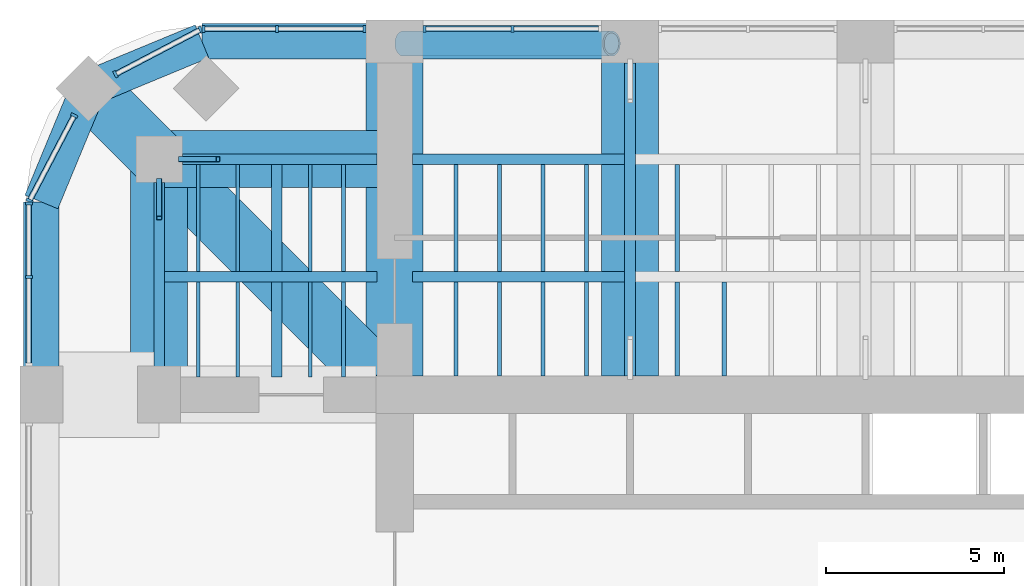
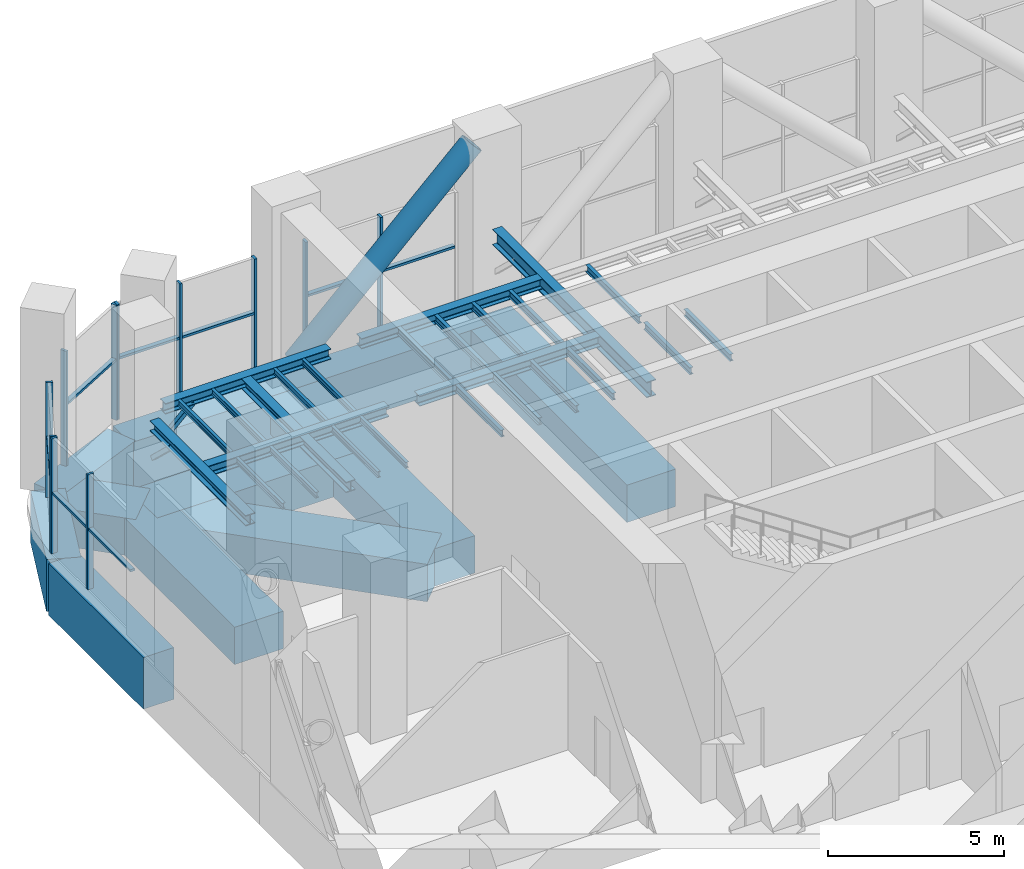
# One storey, part 6 of 15: 38 beams, 22 members, 5 elements without a shape of their own.
"""IFC4 building model written with IfcOpenShell, lengths in metres."""

import ifcopenshell
import ifcopenshell.guid

model = None  # the IFC model being written
_history = None  # IfcOwnerHistory: only IFC2X3 demands one
_inside = {}  # id of a spatial element -> (the spatial element, [elements in it])
_under = {}  # id of a project, library or spatial element -> (it, [spatial elements below it])
_declared = {}  # id of a project -> (the project, [libraries it declares])
_typed = {}  # id of a type object -> (the type object, [elements of that type])
_made_of = {}  # id of a material, layer set ... -> (it, [elements and type objects made of it])


def new_model(schema):
    """Start an empty IFC model of exactly this schema.

    Asked for "IFC4X3", IfcOpenShell would pick the latest addendum, in which some entities
    have other attributes; the version numbers below select the first issue.
    IFC2X3 requires an IfcOwnerHistory on every rooted entity: one is made here for all.
    """
    global model, _history
    if schema == "IFC4X3":
        model = ifcopenshell.file(schema_version=(4, 3, 0, 0))
    else:
        model = ifcopenshell.file(schema=schema)
    _inside.clear()
    _under.clear()
    _declared.clear()
    _typed.clear()
    _made_of.clear()
    _history = None
    if model.schema == "IFC2X3":
        org = make("IfcOrganization", Name="unknown")
        user = make(
            "IfcPersonAndOrganization",
            ThePerson=make("IfcPerson", FamilyName="unknown"),
            TheOrganization=org,
        )
        app = make(
            "IfcApplication",
            ApplicationDeveloper=org,
            Version="unknown",
            ApplicationFullName="unknown",
            ApplicationIdentifier="unknown",
        )
        _history = make(
            "IfcOwnerHistory",
            OwningUser=user,
            OwningApplication=app,
            ChangeAction="ADDED",
            CreationDate=0,
        )
    return model


def make(cls, **values):
    """One entity of the class cls with the attributes given. An attribute that is None is left unset."""
    return model.create_entity(
        cls, **{name: value for name, value in values.items() if value is not None}
    )


def rooted(cls, **values):
    """An entity with a GlobalId (a new one), such as an element, a storey or a relation."""
    return make(cls, GlobalId=ifcopenshell.guid.new(), OwnerHistory=_history, **values)


def si_unit(unit_type, name, prefix=None):
    """IfcSIUnit, for example si_unit("LENGTHUNIT", "METRE", prefix="MILLI")."""
    return make("IfcSIUnit", UnitType=unit_type, Prefix=prefix, Name=name)


def assignment(units):
    """IfcUnitAssignment: the units of a project."""
    return None if units is None else make("IfcUnitAssignment", Units=units)


def point(xyz):
    """IfcCartesianPoint."""
    return None if xyz is None else make("IfcCartesianPoint", Coordinates=xyz)


def direction(xyz):
    """IfcDirection."""
    return None if xyz is None else make("IfcDirection", DirectionRatios=xyz)


def frame(location, z_axis=None, x_axis=None):
    """IfcAxis2Placement3D, a coordinate frame: its origin and axes. An axis left out is left unset."""
    return make(
        "IfcAxis2Placement3D",
        Location=point(location),
        Axis=direction(z_axis),
        RefDirection=direction(x_axis),
    )


def frame_2d(location, x_axis=None):
    """IfcAxis2Placement2D, a coordinate frame in the plane: its origin and x axis."""
    return make(
        "IfcAxis2Placement2D", Location=point(location), RefDirection=direction(x_axis)
    )


def origin():
    """The frame at (0, 0, 0) with its axes left unset."""
    return frame((0.0, 0.0, 0.0))


def origin_2d():
    """The frame at (0, 0) in the plane with its x axis left unset."""
    return frame_2d((0.0, 0.0))


def place(relative_to, where):
    """IfcLocalPlacement: puts the frame where relative to a parent placement (None: the world)."""
    return make(
        "IfcLocalPlacement", PlacementRelTo=relative_to, RelativePlacement=where
    )


def context(
    kind, dimensions, precision=None, world=None, true_north=None, identifier=None
):
    """IfcGeometricRepresentationContext, for example the 3D "Model" context."""
    return make(
        "IfcGeometricRepresentationContext",
        ContextIdentifier=identifier,
        ContextType=kind,
        CoordinateSpaceDimension=dimensions,
        Precision=precision,
        WorldCoordinateSystem=world,
        TrueNorth=true_north,
    )


def subcontext(parent, identifier, kind, view, scale=None):
    """IfcGeometricRepresentationSubContext, for example "Body" below "Model"."""
    return make(
        "IfcGeometricRepresentationSubContext",
        ContextIdentifier=identifier,
        ContextType=kind,
        ParentContext=parent,
        TargetScale=scale,
        TargetView=view,
    )


def project(units=None, contexts=None):
    """IfcProject with its units and contexts."""
    return rooted(
        "IfcProject",
        Name="project",
        RepresentationContexts=contexts,
        UnitsInContext=assignment(units),
    )


def spatial(cls, under=None, at=None, **own):
    """A site, building, storey or space (cls), placed at a placement, below another one or the project."""
    s = rooted(cls, ObjectPlacement=at, **own)
    if under is not None:
        _under.setdefault(under.id(), (under, []))[1].append(s)
    return s


def profile(cls, at=None, kind="AREA", **sizes):
    """A parametric profile (cls). Its sizes go by their IFC names, for example OverallWidth=200.0."""
    return make(cls, ProfileType=kind, Position=at, **sizes)


def rectangle(**sizes):
    """IfcRectangleProfileDef."""
    return profile("IfcRectangleProfileDef", **sizes)


def hollow_rectangle(**sizes):
    """IfcRectangleHollowProfileDef."""
    return profile("IfcRectangleHollowProfileDef", **sizes)


def hollow_circle(**sizes):
    """IfcCircleHollowProfileDef."""
    return profile("IfcCircleHollowProfileDef", **sizes)


def i_section(**sizes):
    """IfcIShapeProfileDef."""
    return profile("IfcIShapeProfileDef", **sizes)


def extrude(swept, where, along, depth):
    """IfcExtrudedAreaSolid: the profile swept, set in the frame where, extruded along a direction by depth."""
    return make(
        "IfcExtrudedAreaSolid",
        SweptArea=swept,
        Position=where,
        ExtrudedDirection=direction(along),
        Depth=depth,
    )


def shape(context_of_items, identifier, shape_type, items):
    """IfcShapeRepresentation: the items that make up one representation, for example the "Body"."""
    return make(
        "IfcShapeRepresentation",
        ContextOfItems=context_of_items,
        RepresentationIdentifier=identifier,
        RepresentationType=shape_type,
        Items=items,
    )


def material(Name=None, Category=None):
    """IfcMaterial."""
    return make("IfcMaterial", Name=Name, Category=Category)


def material_profile(
    of_material, cross_section, Name=None, Category=None, Priority=None
):
    """IfcMaterialProfile: a cross section and its material."""
    return make(
        "IfcMaterialProfile",
        Name=Name,
        Material=of_material,
        Profile=cross_section,
        Priority=Priority,
        Category=Category,
    )


def profile_set(profiles, Name=None, composite=None):
    """IfcMaterialProfileSet."""
    return make(
        "IfcMaterialProfileSet",
        Name=Name,
        MaterialProfiles=profiles,
        CompositeProfile=composite,
    )


def made_of(thing, what):
    """Note that an element or type object is made of a material, layer set ...; save() writes the relation."""
    if what is not None:
        _made_of.setdefault(what.id(), (what, []))[1].append(thing)
    return thing


def type_object(cls, material=None, **own):
    """A type object (cls), such as IfcWallType, which elements share."""
    return made_of(rooted(cls, **own), material)


def element(
    cls,
    number,
    at=None,
    inside=None,
    cuts=None,
    type_object=None,
    material=None,
    context=None,
    identifier="Body",
    shape_type=None,
    held_by="IfcProductDefinitionShape",
    body=None,
    shapes=None,
    **own,
):
    """One element of the class cls, such as IfcWall. Its Tag is "e" and its number.

    at: its placement. inside: the storey or other place that contains it. cuts: it is an
    opening in that element (IfcRelVoidsElement). A single representation is given by context,
    identifier, shape_type and body (its items); several are given by shapes. held_by: the class
    of the entity that holds the representations. save() writes the other relations.
    """
    e = rooted(cls, Tag="e%d" % number, ObjectPlacement=at, **own)
    if body is not None:
        shapes = [shape(context, identifier, shape_type, body)]
    if shapes is not None:
        e.Representation = make(held_by, Representations=shapes)
    if inside is not None:
        _inside.setdefault(inside.id(), (inside, []))[1].append(e)
    if cuts is not None:
        rooted(
            "IfcRelVoidsElement", RelatingBuildingElement=cuts, RelatedOpeningElement=e
        )
    if type_object is not None:
        _typed.setdefault(type_object.id(), (type_object, []))[1].append(e)
    return made_of(e, material)


def aggregate(whole, parts):
    """IfcRelAggregates: a whole, such as a stair, and the parts it consists of."""
    return rooted("IfcRelAggregates", RelatingObject=whole, RelatedObjects=parts)


def save(model, path):
    """Write the relations noted so far, then the file.

    IfcRelAggregates (storeys below a building ...), IfcRelContainedInSpatialStructure (elements
    in a storey), IfcRelDefinesByType, IfcRelAssociatesMaterial and IfcRelDeclares: one each for
    every whole, place, type object, material and project.
    """
    for whole, parts in _under.values():
        aggregate(whole, parts)
    for where, things in _inside.values():
        rooted(
            "IfcRelContainedInSpatialStructure",
            RelatedElements=things,
            RelatingStructure=where,
        )
    for kind, things in _typed.values():
        rooted("IfcRelDefinesByType", RelatedObjects=things, RelatingType=kind)
    for what, things in _made_of.values():
        rooted("IfcRelAssociatesMaterial", RelatedObjects=things, RelatingMaterial=what)
    for by, libraries in _declared.values():
        rooted("IfcRelDeclares", RelatingContext=by, RelatedDefinitions=libraries)
    model.write(path)


model = new_model("IFC4")

# Units and contexts
model_context = context("Model", 3, precision=1e-05, world=origin(), true_north=direction((0.0, 1.0)))
body_context = subcontext(model_context, "Body", "Model", "MODEL_VIEW")
ifc_project = project(units=[si_unit("LENGTHUNIT", "METRE"), si_unit("AREAUNIT", "SQUARE_METRE"), si_unit("VOLUMEUNIT", "CUBIC_METRE"), si_unit("PLANEANGLEUNIT", "RADIAN"), si_unit("MASSUNIT", "GRAM", prefix="KILO")], contexts=[model_context])

# Site, building, storey
site_placement = place(None, origin())
site = spatial("IfcSite", under=ifc_project, at=site_placement, CompositionType="ELEMENT")
building_placement = place(site_placement, origin())
building = spatial("IfcBuilding", under=site, at=building_placement, Name="Cobogo Forest Laboratory Tower", CompositionType="ELEMENT")
storey_placement = place(building_placement, frame((0.0, 0.0, 222.89990234375)))
storey = spatial("IfcBuildingStorey", under=building, at=storey_placement, Name="L51", CompositionType="ELEMENT", Elevation=222.89990234375)

# Member
ifc_material_1 = material(Name="Steel S460NH", Category="steel")
ifc_material_profile_1 = material_profile(ifc_material_1, hollow_circle(Radius=0.35546875, WallThickness=0.06005859375, at=origin_2d()), Name="CHS 711x60")
ifc_profile_set_1 = profile_set([ifc_material_profile_1], Name="Steel S460NH")
member_type_1 = type_object("IfcMemberType", Name="Belt truss diagonal CHS 711x60", PredefinedType="BRACE", material=ifc_profile_set_1)
member_1_placement = place(storey_placement, frame((13.449951171875, 42.840087890625, 0.23876953125), z_axis=(0.723363796511, 0.0, 0.690467101242), x_axis=(0.0, 1.0, 0.0)))
element("IfcMember", 1, at=member_1_placement, inside=storey, type_object=member_type_1, Name="BT1 belt truss diagonal N09 L51", PredefinedType="BRACE", context=body_context, shape_type="SweptSolid", body=[
    extrude(hollow_circle(Radius=0.35546875, WallThickness=0.06005859375, at=origin_2d()), origin(), (0.0, 0.0, 1.0), 8.0595703125),
])

# Curtain wall, members
ifc_material_2 = material(Name="Aluminium curtain wall", Category="aluminium")
curtain_wall_type = type_object("IfcCurtainWallType", Name="CW-P louvred curtain wall, plant floors", PredefinedType="USERDEFINED", material=ifc_material_2)
curtain_wall_1_placement = place(storey_placement, origin())
curtain_wall_1 = element("IfcCurtainWall", 2, at=curtain_wall_1_placement, inside=storey, type_object=curtain_wall_type, Name="Curtain wall 20 L51", ObjectType="LOUVRED CURTAIN WALL", PredefinedType="USERDEFINED")
ifc_material_3 = material(Name="Aluminium mullion", Category="aluminium")
ifc_material_profile_2 = material_profile(ifc_material_3, rectangle(XDim=0.080078125, YDim=0.199951171875, at=origin_2d()), Name="AL 80x200")
ifc_profile_set_2 = profile_set([ifc_material_profile_2], Name="Aluminium mullion")
member_type_2 = type_object("IfcMemberType", Name="MU-3 aluminium louvre mullion 80x200", PredefinedType="MULLION", material=ifc_profile_set_2)
member_2_placement = place(storey_placement, frame((16.5, 43.25, 0.0), z_axis=(0.0, 0.0, 1.0), x_axis=(-1.0, 0.0, 0.0)))
member_2 = element("IfcMember", 3, at=member_2_placement, type_object=member_type_2, Name="CW-P mullion 2", PredefinedType="MULLION", context=body_context, shape_type="SweptSolid", body=[
    extrude(rectangle(XDim=0.080078125, YDim=0.199951171875, at=origin_2d()), origin(), (0.0, 0.0, 1.0), 4.0),
])
member_3_placement = place(storey_placement, frame((14.0400390625, 43.25, 0.0), z_axis=(0.0, 0.0, 1.0), x_axis=(-1.0, 0.0, 0.0)))
member_3 = element("IfcMember", 4, at=member_3_placement, type_object=member_type_2, Name="CW-P mullion 3", PredefinedType="MULLION", context=body_context, shape_type="SweptSolid", body=[
    extrude(rectangle(XDim=0.080078125, YDim=0.199951171875, at=origin_2d()), origin(), (0.0, 0.0, 1.0), 4.0),
])

curtain_wall_2_placement = place(storey_placement, origin())
curtain_wall_2 = element("IfcCurtainWall", 5, at=curtain_wall_2_placement, inside=storey, type_object=curtain_wall_type, Name="Curtain wall 21 L51", ObjectType="LOUVRED CURTAIN WALL", PredefinedType="USERDEFINED")
member_4_placement = place(storey_placement, frame((12.360107421875, 43.25, 0.0), z_axis=(0.0, 0.0, 1.0), x_axis=(-1.0, 0.0, 0.0)))
member_4 = element("IfcMember", 6, at=member_4_placement, type_object=member_type_2, Name="CW-P mullion 1", PredefinedType="MULLION", context=body_context, shape_type="SweptSolid", body=[
    extrude(rectangle(XDim=0.080078125, YDim=0.199951171875, at=origin_2d()), origin(), (0.0, 0.0, 1.0), 4.0),
])
member_5_placement = place(storey_placement, frame((9.89990234375, 43.25, 0.0), z_axis=(0.0, 0.0, 1.0), x_axis=(-1.0, 0.0, 0.0)))
member_5 = element("IfcMember", 7, at=member_5_placement, type_object=member_type_2, Name="CW-P mullion 2", PredefinedType="MULLION", context=body_context, shape_type="SweptSolid", body=[
    extrude(rectangle(XDim=0.080078125, YDim=0.199951171875, at=origin_2d()), origin(), (0.0, 0.0, 1.0), 4.0),
])
member_6_placement = place(storey_placement, frame((7.840087890625, 43.25, 0.0), z_axis=(0.0, 0.0, 1.0), x_axis=(-1.0, 0.0, 0.0)))
member_6 = element("IfcMember", 8, at=member_6_placement, type_object=member_type_2, Name="CW-P mullion 3", PredefinedType="MULLION", context=body_context, shape_type="SweptSolid", body=[
    extrude(rectangle(XDim=0.080078125, YDim=0.199951171875, at=origin_2d()), origin(), (0.0, 0.0, 1.0), 4.0),
])

curtain_wall_3_placement = place(storey_placement, origin())
curtain_wall_3 = element("IfcCurtainWall", 9, at=curtain_wall_3_placement, inside=storey, type_object=curtain_wall_type, Name="Curtain wall 22 L51", ObjectType="LOUVRED CURTAIN WALL", PredefinedType="USERDEFINED")
member_7_placement = place(storey_placement, frame((7.7646484375, 43.2314453125, 0.0), z_axis=(0.0, 0.0, 1.0), x_axis=(-0.885686547075, -0.464283685186, 0.0)))
member_7 = element("IfcMember", 10, at=member_7_placement, type_object=member_type_2, Name="CW-P mullion 1", PredefinedType="MULLION", context=body_context, shape_type="SweptSolid", body=[
    extrude(rectangle(XDim=0.080078125, YDim=0.199951171875, at=origin_2d()), origin(), (0.0, 0.0, 1.0), 4.0),
])
member_8_placement = place(storey_placement, frame((5.377197265625, 41.97998046875, 0.0), z_axis=(0.0, 0.0, 1.0), x_axis=(-0.885686547075, -0.464283685186, 0.0)))
member_8 = element("IfcMember", 11, at=member_8_placement, type_object=member_type_2, Name="CW-P mullion 2", PredefinedType="MULLION", context=body_context, shape_type="SweptSolid", body=[
    extrude(rectangle(XDim=0.080078125, YDim=0.199951171875, at=origin_2d()), origin(), (0.0, 0.0, 1.0), 4.0),
])

curtain_wall_4_placement = place(storey_placement, origin())
curtain_wall_4 = element("IfcCurtainWall", 12, at=curtain_wall_4_placement, inside=storey, type_object=curtain_wall_type, Name="Curtain wall 23 L51", ObjectType="LOUVRED CURTAIN WALL", PredefinedType="USERDEFINED")
member_9_placement = place(storey_placement, frame((4.219970703125, 40.82275390625, 0.0), z_axis=(0.0, 0.0, 1.0), x_axis=(-0.464283685186, -0.885686547075, 0.0)))
member_9 = element("IfcMember", 13, at=member_9_placement, type_object=member_type_2, Name="CW-P mullion 1", PredefinedType="MULLION", context=body_context, shape_type="SweptSolid", body=[
    extrude(rectangle(XDim=0.080078125, YDim=0.199951171875, at=origin_2d()), origin(), (0.0, 0.0, 1.0), 4.0),
])
member_10_placement = place(storey_placement, frame((2.968505859375, 38.435546875, 0.0), z_axis=(0.0, 0.0, 1.0), x_axis=(-0.464283685186, -0.885686547075, 0.0)))
member_10 = element("IfcMember", 14, at=member_10_placement, type_object=member_type_2, Name="CW-P mullion 2", PredefinedType="MULLION", context=body_context, shape_type="SweptSolid", body=[
    extrude(rectangle(XDim=0.080078125, YDim=0.199951171875, at=origin_2d()), origin(), (0.0, 0.0, 1.0), 4.0),
])

curtain_wall_5_placement = place(storey_placement, origin())
curtain_wall_5 = element("IfcCurtainWall", 15, at=curtain_wall_5_placement, inside=storey, type_object=curtain_wall_type, Name="Curtain wall 24 L51", ObjectType="LOUVRED CURTAIN WALL", PredefinedType="USERDEFINED")
member_11_placement = place(storey_placement, frame((2.949951171875, 38.360107421875, 0.0), z_axis=(0.0, 0.0, 1.0), x_axis=(0.0, -1.0, 0.0)))
member_11 = element("IfcMember", 16, at=member_11_placement, type_object=member_type_2, Name="CW-P mullion 1", PredefinedType="MULLION", context=body_context, shape_type="SweptSolid", body=[
    extrude(rectangle(XDim=0.080078125, YDim=0.199951171875, at=origin_2d()), origin(), (0.0, 0.0, 1.0), 4.0),
])
member_12_placement = place(storey_placement, frame((2.949951171875, 36.300048828125, 0.0), z_axis=(0.0, 0.0, 1.0), x_axis=(0.0, -1.0, 0.0)))
member_12 = element("IfcMember", 17, at=member_12_placement, type_object=member_type_2, Name="CW-P mullion 2", PredefinedType="MULLION", context=body_context, shape_type="SweptSolid", body=[
    extrude(rectangle(XDim=0.080078125, YDim=0.199951171875, at=origin_2d()), origin(), (0.0, 0.0, 1.0), 4.0),
])

# Beams
ifc_material_4 = material(Name="Concrete HA-40 (C40/50)", Category="concrete")
ifc_material_profile_3 = material_profile(ifc_material_4, rectangle(XDim=1.60009765625, YDim=1.300048828125, at=origin_2d()), Name="RC 1600x1300")
ifc_profile_set_3 = profile_set([ifc_material_profile_3], Name="Concrete HA-40 (C40/50)")
beam_type_1 = type_object("IfcBeamType", Name="Plant and roof garden wide beam 1600x1300", PredefinedType="BEAM", material=ifc_profile_set_3)
for number, where, z_axis, x_axis, name in (
    (18, (13.199951171875, 33.52490234375, -1.0), (0.0, 1.0, 0.0), (-1.0, 0.0, 0.0), "RB4 R-3-N L51"),
    (19, (19.800048828125, 33.52490234375, -1.0), (0.0, 1.0, 0.0), (-1.0, 0.0, 0.0), "RB4 R-4-N L51"),
):
    element("IfcBeam", number, at=place(storey_placement, frame(where, z_axis=z_axis, x_axis=x_axis)), inside=storey, type_object=beam_type_1, Name=name, PredefinedType="BEAM", context=body_context, shape_type="SweptSolid", body=[
        extrude(rectangle(XDim=1.60009765625, YDim=1.300048828125, at=origin_2d()), origin(), (0.0, 0.0, 1.0), 9.375),
    ])
beam_1_placement = place(storey_placement, frame((6.60009765625, 39.60009765625, -1.0), z_axis=(0.0, -1.0, 0.0), x_axis=(1.0, 0.0, 0.0)))
element("IfcBeam", 20, at=beam_1_placement, inside=storey, type_object=beam_type_1, Name="RB4 G-NW-XC L51", PredefinedType="BEAM", context=body_context, shape_type="SweptSolid", body=[
    extrude(rectangle(XDim=1.60009765625, YDim=1.300048828125, at=origin_2d()), origin(), (0.0, 0.0, 1.0), 6.60009765625),
])
beam_2_placement = place(storey_placement, frame((6.60009765625, 39.60009765625, -1.0), z_axis=(1.0, 0.0, 0.0), x_axis=(0.0, 1.0, 0.0)))
element("IfcBeam", 21, at=beam_2_placement, inside=storey, type_object=beam_type_1, Name="RB4 G-NW-YC L51", PredefinedType="BEAM", context=body_context, shape_type="SweptSolid", body=[
    extrude(rectangle(XDim=1.60009765625, YDim=1.300048828125, at=origin_2d()), origin(), (0.0, 0.0, 1.0), 6.599853515625),
])
beam_3_placement = place(storey_placement, frame((4.617919921875, 41.58203125, -1.0), z_axis=(0.707150328948, -0.707063230743, 0.0), x_axis=(0.707063230743, 0.707150328948, 0.0)))
element("IfcBeam", 22, at=beam_3_placement, inside=storey, type_object=beam_type_1, Name="RB4 G-NW-D1 L51", PredefinedType="BEAM", context=body_context, shape_type="SweptSolid", body=[
    extrude(rectangle(XDim=1.60009765625, YDim=1.300048828125, at=origin_2d()), origin(), (0.0, 0.0, 1.0), 2.802978515625),
])
beam_4_placement = place(storey_placement, frame((6.60009765625, 39.60009765625, -1.0), z_axis=(0.707092572697, -0.70712098939, 0.0), x_axis=(0.70712098939, 0.707092572697, 0.0)))
element("IfcBeam", 23, at=beam_4_placement, inside=storey, type_object=beam_type_1, Name="RB4 G-NW-D2 L51", PredefinedType="BEAM", context=body_context, shape_type="SweptSolid", body=[
    extrude(rectangle(XDim=1.60009765625, YDim=1.300048828125, at=origin_2d()), origin(), (0.0, 0.0, 1.0), 8.591552734375),
])
ifc_material_profile_4 = material_profile(ifc_material_4, rectangle(XDim=1.0, YDim=1.800048828125, at=origin_2d()), Name="RC 1000x1800")
ifc_profile_set_4 = profile_set([ifc_material_profile_4], Name="Concrete HA-40 (C40/50)")
beam_type_2 = type_object("IfcBeamType", Name="Plant floor perimeter girder 1000x1800", PredefinedType="BEAM", material=ifc_profile_set_4)
beam_5_placement = place(storey_placement, frame((13.199951171875, 42.89990234375, -1.25), z_axis=(1.0, 0.0, 0.0), x_axis=(0.0, 1.0, 0.0)))
element("IfcBeam", 24, at=beam_5_placement, inside=storey, type_object=beam_type_2, Name="TG1 E-N1 L51", PredefinedType="BEAM", context=body_context, shape_type="SweptSolid", body=[
    extrude(rectangle(XDim=1.0, YDim=1.800048828125, at=origin_2d()), origin(), (0.0, 0.0, 1.0), 6.60009765625),
])
beam_6_placement = place(storey_placement, frame((13.199951171875, 42.89990234375, -1.25), z_axis=(-1.0, 0.0, 0.0), x_axis=(0.0, -1.0, 0.0)))
element("IfcBeam", 25, at=beam_6_placement, inside=storey, type_object=beam_type_2, Name="TG1 E-NWN1 L51", PredefinedType="BEAM", context=body_context, shape_type="SweptSolid", body=[
    extrude(rectangle(XDim=1.0, YDim=1.800048828125, at=origin_2d()), origin(), (0.0, 0.0, 1.0), 5.39990234375),
])
beam_7_placement = place(storey_placement, frame((7.800048828125, 42.89990234375, -1.25), z_axis=(-0.923901072997, -0.382631424892, 0.0), x_axis=(0.382631424892, -0.923901072997, 0.0)))
element("IfcBeam", 26, at=beam_7_placement, inside=storey, type_object=beam_type_2, Name="TG1 E-NWN2 L51", PredefinedType="BEAM", context=body_context, shape_type="SweptSolid", body=[
    extrude(rectangle(XDim=1.0, YDim=1.800048828125, at=origin_2d()), origin(), (0.0, 0.0, 1.0), 3.4443359375),
])
beam_8_placement = place(storey_placement, frame((3.300048828125, 33.0, -1.25), z_axis=(0.0, 1.0, 0.0), x_axis=(-1.0, 0.0, 0.0)))
element("IfcBeam", 27, at=beam_8_placement, inside=storey, type_object=beam_type_2, Name="TG1 E-NWW1 L51", PredefinedType="BEAM", context=body_context, shape_type="SweptSolid", body=[
    extrude(rectangle(XDim=1.0, YDim=1.800048828125, at=origin_2d()), origin(), (0.0, 0.0, 1.0), 5.39990234375),
])
beam_9_placement = place(storey_placement, frame((3.300048828125, 38.39990234375, -1.25), z_axis=(0.382631424892, 0.923901072997, 0.0), x_axis=(-0.923901072997, 0.382631424892, 0.0)))
element("IfcBeam", 28, at=beam_9_placement, inside=storey, type_object=beam_type_2, Name="TG1 E-NWW2 L51", PredefinedType="BEAM", context=body_context, shape_type="SweptSolid", body=[
    extrude(rectangle(XDim=1.0, YDim=1.800048828125, at=origin_2d()), origin(), (0.0, 0.0, 1.0), 3.4443359375),
])

# Members
ifc_material_5 = material(Name="Steel S355", Category="steel")
ifc_material_profile_5 = material_profile(ifc_material_5, hollow_rectangle(XDim=0.14990234375, YDim=0.14990234375, WallThickness=0.008056640625, InnerFilletRadius=0.008056640625, OuterFilletRadius=0.011962890625, at=origin_2d()), Name="SHS 150x8")
ifc_profile_set_5 = profile_set([ifc_material_profile_5], Name="Steel S355")
member_type_3 = type_object("IfcMemberType", Name="Plant knee brace SHS 150x8", PredefinedType="BRACE", material=ifc_profile_set_5)
for number, where, z_axis, x_axis, name in (
    (29, (7.197021484375, 39.60009765625, 1.64013671875), (0.725112757408, 0.0, 0.688630154033), (0.0, 1.0, 0.0), "PX2 PF-NW knee brace X L51"),
    (30, (6.60009765625, 39.0029296875, 1.64013671875), (0.0, -0.725112757408, 0.688630154033), (1.0, 0.0, 0.0), "PX2 PF-NW knee brace Y L51"),
):
    element("IfcMember", number, at=place(storey_placement, frame(where, z_axis=z_axis, x_axis=x_axis)), inside=storey, type_object=member_type_3, Name=name, PredefinedType="BRACE", context=body_context, shape_type="SweptSolid", body=[
        extrude(hollow_rectangle(XDim=0.14990234375, YDim=0.14990234375, WallThickness=0.008056640625, InnerFilletRadius=0.008056640625, OuterFilletRadius=0.011962890625, at=origin_2d()), origin(), (0.0, 0.0, 1.0), 1.4521484375),
    ])

# Beams
ifc_material_profile_6 = material_profile(ifc_material_5, i_section(OverallWidth=0.300048828125, OverallDepth=0.35009765625, WebThickness=0.010009765625, FlangeThickness=0.017578125, FilletRadius=0.027099609375, at=origin_2d()), Name="HEA 360")
ifc_profile_set_6 = profile_set([ifc_material_profile_6], Name="Steel S355")
beam_type_3 = type_object("IfcBeamType", Name="Plant platform beam HEA 360", PredefinedType="BEAM", material=ifc_profile_set_6)
for number, where, z_axis, x_axis, name in (
    (31, (13.699951171875, 39.60009765625, 2.8251953125), (1.0, 0.0, 0.0), (0.0, 1.0, 0.0), "PB3 AHU-N platform beam 1 at 3300 L51"),
    (32, (13.699951171875, 36.300048828125, 2.8251953125), (1.0, 0.0, 0.0), (0.0, 1.0, 0.0), "PB3 AHU-N platform beam 1 at 6600 L51"),
):
    element("IfcBeam", number, at=place(storey_placement, frame(where, z_axis=z_axis, x_axis=x_axis)), inside=storey, type_object=beam_type_3, Name=name, PredefinedType="BEAM", context=body_context, shape_type="SweptSolid", body=[
        extrude(i_section(OverallWidth=0.300048828125, OverallDepth=0.35009765625, WebThickness=0.010009765625, FlangeThickness=0.017578125, FilletRadius=0.027099609375, at=origin_2d()), origin(), (0.0, 0.0, 1.0), 5.949951171875),
    ])
ifc_material_profile_7 = material_profile(ifc_material_5, i_section(OverallWidth=0.300048828125, OverallDepth=0.550048828125, WebThickness=0.014892578125, FlangeThickness=0.029052734375, FilletRadius=0.027099609375, at=origin_2d()), Name="HEB 550")
ifc_profile_set_7 = profile_set([ifc_material_profile_7], Name="Steel S355")
beam_type_4 = type_object("IfcBeamType", Name="Plant platform girder HEB 550", PredefinedType="BEAM", material=ifc_profile_set_7)
beam_10_placement = place(storey_placement, frame((19.800048828125, 42.300048828125, 2.72509765625), z_axis=(0.0, -1.0, 0.0), x_axis=(1.0, 0.0, 0.0)))
element("IfcBeam", 33, at=beam_10_placement, inside=storey, type_object=beam_type_4, Name="PG2 AHU-N girder 4 L51", PredefinedType="BEAM", context=body_context, shape_type="SweptSolid", body=[
    extrude(i_section(OverallWidth=0.300048828125, OverallDepth=0.550048828125, WebThickness=0.014892578125, FlangeThickness=0.029052734375, FilletRadius=0.027099609375, at=origin_2d()), origin(), (0.0, 0.0, 1.0), 8.775146484375),
])
ifc_material_profile_8 = material_profile(ifc_material_5, i_section(OverallWidth=0.1201171875, OverallDepth=0.239990234375, WebThickness=0.006103515625, FlangeThickness=0.009765625, FilletRadius=0.014892578125, at=origin_2d()), Name="IPE 240")
ifc_profile_set_8 = profile_set([ifc_material_profile_8], Name="Steel S355")
beam_type_5 = type_object("IfcBeamType", Name="Plant platform joist IPE 240", PredefinedType="JOIST", material=ifc_profile_set_8)
beam_11_placement = place(storey_placement, frame((14.919921875, 39.449951171875, 2.880126953125), z_axis=(0.0, -1.0, 0.0), x_axis=(1.0, 0.0, 0.0)))
element("IfcBeam", 34, at=beam_11_placement, inside=storey, type_object=beam_type_5, Name="PJ1 AHU-N joist 1.1 row 1 L51", PredefinedType="JOIST", context=body_context, shape_type="SweptSolid", body=[
    extrude(i_section(OverallWidth=0.1201171875, OverallDepth=0.239990234375, WebThickness=0.006103515625, FlangeThickness=0.009765625, FilletRadius=0.014892578125, at=origin_2d()), origin(), (0.0, 0.0, 1.0), 3.0),
])
beam_12_placement = place(storey_placement, frame((14.919921875, 36.14990234375, 2.880126953125), z_axis=(0.0, -1.0, 0.0), x_axis=(1.0, 0.0, 0.0)))
element("IfcBeam", 35, at=beam_12_placement, inside=storey, type_object=beam_type_5, Name="PJ1 AHU-N joist 1.1 row 2 L51", PredefinedType="JOIST", context=body_context, shape_type="SweptSolid", body=[
    extrude(i_section(OverallWidth=0.1201171875, OverallDepth=0.239990234375, WebThickness=0.006103515625, FlangeThickness=0.009765625, FilletRadius=0.014892578125, at=origin_2d()), origin(), (0.0, 0.0, 1.0), 2.625),
])
beam_13_placement = place(storey_placement, frame((16.139892578125, 39.449951171875, 2.880126953125), z_axis=(0.0, -1.0, 0.0), x_axis=(1.0, 0.0, 0.0)))
element("IfcBeam", 36, at=beam_13_placement, inside=storey, type_object=beam_type_5, Name="PJ1 AHU-N joist 1.2 row 1 L51", PredefinedType="JOIST", context=body_context, shape_type="SweptSolid", body=[
    extrude(i_section(OverallWidth=0.1201171875, OverallDepth=0.239990234375, WebThickness=0.006103515625, FlangeThickness=0.009765625, FilletRadius=0.014892578125, at=origin_2d()), origin(), (0.0, 0.0, 1.0), 3.0),
])
beam_14_placement = place(storey_placement, frame((16.139892578125, 36.14990234375, 2.880126953125), z_axis=(0.0, -1.0, 0.0), x_axis=(1.0, 0.0, 0.0)))
element("IfcBeam", 37, at=beam_14_placement, inside=storey, type_object=beam_type_5, Name="PJ1 AHU-N joist 1.2 row 2 L51", PredefinedType="JOIST", context=body_context, shape_type="SweptSolid", body=[
    extrude(i_section(OverallWidth=0.1201171875, OverallDepth=0.239990234375, WebThickness=0.006103515625, FlangeThickness=0.009765625, FilletRadius=0.014892578125, at=origin_2d()), origin(), (0.0, 0.0, 1.0), 2.625),
])
beam_15_placement = place(storey_placement, frame((17.360107421875, 39.449951171875, 2.880126953125), z_axis=(0.0, -1.0, 0.0), x_axis=(1.0, 0.0, 0.0)))
element("IfcBeam", 38, at=beam_15_placement, inside=storey, type_object=beam_type_5, Name="PJ1 AHU-N joist 1.3 row 1 L51", PredefinedType="JOIST", context=body_context, shape_type="SweptSolid", body=[
    extrude(i_section(OverallWidth=0.1201171875, OverallDepth=0.239990234375, WebThickness=0.006103515625, FlangeThickness=0.009765625, FilletRadius=0.014892578125, at=origin_2d()), origin(), (0.0, 0.0, 1.0), 3.0),
])
beam_16_placement = place(storey_placement, frame((17.360107421875, 36.14990234375, 2.880126953125), z_axis=(0.0, -1.0, 0.0), x_axis=(1.0, 0.0, 0.0)))
element("IfcBeam", 39, at=beam_16_placement, inside=storey, type_object=beam_type_5, Name="PJ1 AHU-N joist 1.3 row 2 L51", PredefinedType="JOIST", context=body_context, shape_type="SweptSolid", body=[
    extrude(i_section(OverallWidth=0.1201171875, OverallDepth=0.239990234375, WebThickness=0.006103515625, FlangeThickness=0.009765625, FilletRadius=0.014892578125, at=origin_2d()), origin(), (0.0, 0.0, 1.0), 2.625),
])
beam_17_placement = place(storey_placement, frame((18.580078125, 39.449951171875, 2.880126953125), z_axis=(0.0, -1.0, 0.0), x_axis=(1.0, 0.0, 0.0)))
element("IfcBeam", 40, at=beam_17_placement, inside=storey, type_object=beam_type_5, Name="PJ1 AHU-N joist 1.4 row 1 L51", PredefinedType="JOIST", context=body_context, shape_type="SweptSolid", body=[
    extrude(i_section(OverallWidth=0.1201171875, OverallDepth=0.239990234375, WebThickness=0.006103515625, FlangeThickness=0.009765625, FilletRadius=0.014892578125, at=origin_2d()), origin(), (0.0, 0.0, 1.0), 3.0),
])
beam_18_placement = place(storey_placement, frame((18.580078125, 36.14990234375, 2.880126953125), z_axis=(0.0, -1.0, 0.0), x_axis=(1.0, 0.0, 0.0)))
element("IfcBeam", 41, at=beam_18_placement, inside=storey, type_object=beam_type_5, Name="PJ1 AHU-N joist 1.4 row 2 L51", PredefinedType="JOIST", context=body_context, shape_type="SweptSolid", body=[
    extrude(i_section(OverallWidth=0.1201171875, OverallDepth=0.239990234375, WebThickness=0.006103515625, FlangeThickness=0.009765625, FilletRadius=0.014892578125, at=origin_2d()), origin(), (0.0, 0.0, 1.0), 2.625),
])
beam_19_placement = place(storey_placement, frame((21.1201171875, 39.449951171875, 2.880126953125), z_axis=(0.0, -1.0, 0.0), x_axis=(1.0, 0.0, 0.0)))
element("IfcBeam", 42, at=beam_19_placement, inside=storey, type_object=beam_type_5, Name="PJ1 AHU-N joist 2.1 row 1 L51", PredefinedType="JOIST", context=body_context, shape_type="SweptSolid", body=[
    extrude(i_section(OverallWidth=0.1201171875, OverallDepth=0.239990234375, WebThickness=0.006103515625, FlangeThickness=0.009765625, FilletRadius=0.014892578125, at=origin_2d()), origin(), (0.0, 0.0, 1.0), 3.0),
])
for number, where, z_axis, x_axis, name in (
    (43, (21.1201171875, 36.14990234375, 2.880126953125), (0.0, -1.0, 0.0), (1.0, 0.0, 0.0), "PJ1 AHU-N joist 2.1 row 2 L51"),
    (44, (22.43994140625, 36.14990234375, 2.880126953125), (0.0, -1.0, 0.0), (1.0, 0.0, 0.0), "PJ1 AHU-N joist 2.2 row 2 L51"),
):
    element("IfcBeam", number, at=place(storey_placement, frame(where, z_axis=z_axis, x_axis=x_axis)), inside=storey, type_object=beam_type_5, Name=name, PredefinedType="JOIST", context=body_context, shape_type="SweptSolid", body=[
        extrude(i_section(OverallWidth=0.1201171875, OverallDepth=0.239990234375, WebThickness=0.006103515625, FlangeThickness=0.009765625, FilletRadius=0.014892578125, at=origin_2d()), origin(), (0.0, 0.0, 1.0), 2.625),
    ])
ifc_material_profile_9 = material_profile(ifc_material_5, i_section(OverallWidth=0.300048828125, OverallDepth=0.360107421875, WebThickness=0.012451171875, FlangeThickness=0.0224609375, FilletRadius=0.027099609375, at=origin_2d()), Name="HEB 360")
ifc_profile_set_9 = profile_set([ifc_material_profile_9], Name="Steel S355")
beam_type_6 = type_object("IfcBeamType", Name="Plant support frame beam HEB 360", PredefinedType="BEAM", material=ifc_profile_set_9)
for number, where, z_axis, x_axis, name in (
    (45, (7.25, 39.60009765625, 2.820068359375), (1.0, 0.0, 0.0), (0.0, 1.0, 0.0), "PF2 PF-NW beam X1 L51"),
    (46, (6.60009765625, 38.949951171875, 2.820068359375), (0.0, -1.0, 0.0), (1.0, 0.0, 0.0), "PF2 PF-NW beam Y1 L51"),
):
    element("IfcBeam", number, at=place(storey_placement, frame(where, z_axis=z_axis, x_axis=x_axis)), inside=storey, type_object=beam_type_6, Name=name, PredefinedType="BEAM", context=body_context, shape_type="SweptSolid", body=[
        extrude(i_section(OverallWidth=0.300048828125, OverallDepth=0.360107421875, WebThickness=0.012451171875, FlangeThickness=0.0224609375, FilletRadius=0.027099609375, at=origin_2d()), origin(), (0.0, 0.0, 1.0), 5.449951171875),
    ])
beam_20_placement = place(storey_placement, frame((6.75, 36.300048828125, 2.820068359375), z_axis=(1.0, 0.0, 0.0), x_axis=(0.0, 1.0, 0.0)))
element("IfcBeam", 47, at=beam_20_placement, inside=storey, type_object=beam_type_6, Name="PF2 PF-NW beam X2 L51", PredefinedType="BEAM", context=body_context, shape_type="SweptSolid", body=[
    extrude(i_section(OverallWidth=0.300048828125, OverallDepth=0.360107421875, WebThickness=0.012451171875, FlangeThickness=0.0224609375, FilletRadius=0.027099609375, at=origin_2d()), origin(), (0.0, 0.0, 1.0), 5.949951171875),
])
beam_21_placement = place(storey_placement, frame((9.89990234375, 39.449951171875, 2.820068359375), z_axis=(0.0, -1.0, 0.0), x_axis=(1.0, 0.0, 0.0)))
element("IfcBeam", 48, at=beam_21_placement, inside=storey, type_object=beam_type_6, Name="PF2 PF-NW beam Y2-1 L51", PredefinedType="BEAM", context=body_context, shape_type="SweptSolid", body=[
    extrude(i_section(OverallWidth=0.300048828125, OverallDepth=0.360107421875, WebThickness=0.012451171875, FlangeThickness=0.0224609375, FilletRadius=0.027099609375, at=origin_2d()), origin(), (0.0, 0.0, 1.0), 3.0),
])
beam_22_placement = place(storey_placement, frame((9.89990234375, 36.14990234375, 2.820068359375), z_axis=(0.0, -1.0, 0.0), x_axis=(1.0, 0.0, 0.0)))
element("IfcBeam", 49, at=beam_22_placement, inside=storey, type_object=beam_type_6, Name="PF2 PF-NW beam Y2-2 L51", PredefinedType="BEAM", context=body_context, shape_type="SweptSolid", body=[
    extrude(i_section(OverallWidth=0.300048828125, OverallDepth=0.360107421875, WebThickness=0.012451171875, FlangeThickness=0.0224609375, FilletRadius=0.027099609375, at=origin_2d()), origin(), (0.0, 0.0, 1.0), 2.64990234375),
])
ifc_material_profile_10 = material_profile(ifc_material_5, i_section(OverallWidth=0.10009765625, OverallDepth=0.199951171875, WebThickness=0.005615234375, FlangeThickness=0.008544921875, FilletRadius=0.011962890625, at=origin_2d()), Name="IPE 200")
ifc_profile_set_10 = profile_set([ifc_material_profile_10], Name="Steel S355")
beam_type_7 = type_object("IfcBeamType", Name="Plant support frame joist IPE 200", PredefinedType="JOIST", material=ifc_profile_set_10)
for number, where, z_axis, x_axis, name in (
    (50, (7.699951171875, 39.449951171875, 2.900146484375), (0.0, -1.0, 0.0), (1.0, 0.0, 0.0), "PJ3 PF-NW joist 11.1 L51"),
    (51, (8.800048828125, 39.449951171875, 2.900146484375), (0.0, -1.0, 0.0), (1.0, 0.0, 0.0), "PJ3 PF-NW joist 11.2 L51"),
):
    element("IfcBeam", number, at=place(storey_placement, frame(where, z_axis=z_axis, x_axis=x_axis)), inside=storey, type_object=beam_type_7, Name=name, PredefinedType="JOIST", context=body_context, shape_type="SweptSolid", body=[
        extrude(i_section(OverallWidth=0.10009765625, OverallDepth=0.199951171875, WebThickness=0.005615234375, FlangeThickness=0.008544921875, FilletRadius=0.011962890625, at=origin_2d()), origin(), (0.0, 0.0, 1.0), 3.0),
    ])
for number, where, z_axis, x_axis, name in (
    (52, (7.699951171875, 36.14990234375, 2.900146484375), (0.0, -1.0, 0.0), (1.0, 0.0, 0.0), "PJ3 PF-NW joist 12.1 L51"),
    (53, (8.800048828125, 36.14990234375, 2.900146484375), (0.0, -1.0, 0.0), (1.0, 0.0, 0.0), "PJ3 PF-NW joist 12.2 L51"),
):
    element("IfcBeam", number, at=place(storey_placement, frame(where, z_axis=z_axis, x_axis=x_axis)), inside=storey, type_object=beam_type_7, Name=name, PredefinedType="JOIST", context=body_context, shape_type="SweptSolid", body=[
        extrude(i_section(OverallWidth=0.10009765625, OverallDepth=0.199951171875, WebThickness=0.005615234375, FlangeThickness=0.008544921875, FilletRadius=0.011962890625, at=origin_2d()), origin(), (0.0, 0.0, 1.0), 2.64990234375),
    ])
for number, where, z_axis, x_axis, name in (
    (54, (10.833251953125, 39.449951171875, 2.900146484375), (0.0, -1.0, 0.0), (1.0, 0.0, 0.0), "PJ3 PF-NW joist 21.1 L51"),
    (55, (11.7666015625, 39.449951171875, 2.900146484375), (0.0, -1.0, 0.0), (1.0, 0.0, 0.0), "PJ3 PF-NW joist 21.2 L51"),
):
    element("IfcBeam", number, at=place(storey_placement, frame(where, z_axis=z_axis, x_axis=x_axis)), inside=storey, type_object=beam_type_7, Name=name, PredefinedType="JOIST", context=body_context, shape_type="SweptSolid", body=[
        extrude(i_section(OverallWidth=0.10009765625, OverallDepth=0.199951171875, WebThickness=0.005615234375, FlangeThickness=0.008544921875, FilletRadius=0.011962890625, at=origin_2d()), origin(), (0.0, 0.0, 1.0), 3.0),
    ])
for number, where, z_axis, x_axis, name in (
    (56, (10.833251953125, 36.14990234375, 2.900146484375), (0.0, -1.0, 0.0), (1.0, 0.0, 0.0), "PJ3 PF-NW joist 22.1 L51"),
    (57, (11.7666015625, 36.14990234375, 2.900146484375), (0.0, -1.0, 0.0), (1.0, 0.0, 0.0), "PJ3 PF-NW joist 22.2 L51"),
):
    element("IfcBeam", number, at=place(storey_placement, frame(where, z_axis=z_axis, x_axis=x_axis)), inside=storey, type_object=beam_type_7, Name=name, PredefinedType="JOIST", context=body_context, shape_type="SweptSolid", body=[
        extrude(i_section(OverallWidth=0.10009765625, OverallDepth=0.199951171875, WebThickness=0.005615234375, FlangeThickness=0.008544921875, FilletRadius=0.011962890625, at=origin_2d()), origin(), (0.0, 0.0, 1.0), 2.64990234375),
    ])

# Member
ifc_material_6 = material(Name="Aluminium transom", Category="aluminium")
ifc_material_profile_11 = material_profile(ifc_material_6, rectangle(XDim=0.14990234375, YDim=0.080078125, at=origin_2d()), Name="AL 80x150")
ifc_profile_set_11 = profile_set([ifc_material_profile_11], Name="Aluminium transom")
member_type_4 = type_object("IfcMemberType", Name="TR-2 aluminium louvre transom 80x150", PredefinedType="USERDEFINED", material=ifc_profile_set_11)
member_13_placement = place(storey_placement, frame((18.919921875, 43.25, 2.10009765625), z_axis=(-1.0, 0.0, 0.0), x_axis=(0.0, -1.0, 0.0)))
member_13 = element("IfcMember", 58, at=member_13_placement, type_object=member_type_4, Name="CW-P transom 1.1", ObjectType="TRANSOM", PredefinedType="USERDEFINED", context=body_context, shape_type="SweptSolid", body=[
    extrude(rectangle(XDim=0.14990234375, YDim=0.080078125, at=origin_2d()), origin(), (0.0, 0.0, 1.0), 2.3798828125),
])

member_14_placement = place(storey_placement, frame((16.4599609375, 43.25, 2.10009765625), z_axis=(-1.0, 0.0, 0.0), x_axis=(0.0, -1.0, 0.0)))
member_14 = element("IfcMember", 59, at=member_14_placement, type_object=member_type_4, Name="CW-P transom 2.1", ObjectType="TRANSOM", PredefinedType="USERDEFINED", context=body_context, shape_type="SweptSolid", body=[
    extrude(rectangle(XDim=0.14990234375, YDim=0.080078125, at=origin_2d()), origin(), (0.0, 0.0, 1.0), 2.3798828125),
])

aggregate(curtain_wall_1, [member_2, member_3, member_13, member_14])

member_15_placement = place(storey_placement, frame((12.320068359375, 43.25, 2.10009765625), z_axis=(-1.0, 0.0, 0.0), x_axis=(0.0, -1.0, 0.0)))
member_15 = element("IfcMember", 60, at=member_15_placement, type_object=member_type_4, Name="CW-P transom 1.1", ObjectType="TRANSOM", PredefinedType="USERDEFINED", context=body_context, shape_type="SweptSolid", body=[
    extrude(rectangle(XDim=0.14990234375, YDim=0.080078125, at=origin_2d()), origin(), (0.0, 0.0, 1.0), 2.380126953125),
])

member_16_placement = place(storey_placement, frame((9.860107421875, 43.25, 2.10009765625), z_axis=(-1.0, 0.0, 0.0), x_axis=(0.0, -1.0, 0.0)))
member_16 = element("IfcMember", 61, at=member_16_placement, type_object=member_type_4, Name="CW-P transom 2.1", ObjectType="TRANSOM", PredefinedType="USERDEFINED", context=body_context, shape_type="SweptSolid", body=[
    extrude(rectangle(XDim=0.14990234375, YDim=0.080078125, at=origin_2d()), origin(), (0.0, 0.0, 1.0), 1.980224609375),
])

aggregate(curtain_wall_2, [member_4, member_5, member_6, member_15, member_16])

member_17_placement = place(storey_placement, frame((7.729248046875, 43.212890625, 2.10009765625), z_axis=(-0.885694477554, -0.464268556366, 0.0), x_axis=(0.464268556366, -0.885694477554, 0.0)))
member_17 = element("IfcMember", 62, at=member_17_placement, type_object=member_type_4, Name="CW-P transom 1.1", ObjectType="TRANSOM", PredefinedType="USERDEFINED", context=body_context, shape_type="SweptSolid", body=[
    extrude(rectangle(XDim=0.14990234375, YDim=0.080078125, at=origin_2d()), origin(), (0.0, 0.0, 1.0), 2.61572265625),
])

aggregate(curtain_wall_3, [member_7, member_8, member_17])

member_18_placement = place(storey_placement, frame((4.201416015625, 40.787353515625, 2.10009765625), z_axis=(-0.464306940139, -0.885674356261, 0.0), x_axis=(0.885674356261, -0.464306940139, 0.0)))
member_18 = element("IfcMember", 63, at=member_18_placement, type_object=member_type_4, Name="CW-P transom 1.1", ObjectType="TRANSOM", PredefinedType="USERDEFINED", context=body_context, shape_type="SweptSolid", body=[
    extrude(rectangle(XDim=0.14990234375, YDim=0.080078125, at=origin_2d()), origin(), (0.0, 0.0, 1.0), 2.615478515625),
])

aggregate(curtain_wall_4, [member_9, member_10, member_18])

member_19_placement = place(storey_placement, frame((2.949951171875, 38.320068359375, 2.10009765625), z_axis=(0.0, -1.0, 0.0), x_axis=(1.0, 0.0, 0.0)))
member_19 = element("IfcMember", 64, at=member_19_placement, type_object=member_type_4, Name="CW-P transom 1.1", ObjectType="TRANSOM", PredefinedType="USERDEFINED", context=body_context, shape_type="SweptSolid", body=[
    extrude(rectangle(XDim=0.14990234375, YDim=0.080078125, at=origin_2d()), origin(), (0.0, 0.0, 1.0), 1.97998046875),
])

member_20_placement = place(storey_placement, frame((2.949951171875, 36.260009765625, 2.10009765625), z_axis=(0.0, -1.0, 0.0), x_axis=(1.0, 0.0, 0.0)))
member_20 = element("IfcMember", 65, at=member_20_placement, type_object=member_type_4, Name="CW-P transom 2.1", ObjectType="TRANSOM", PredefinedType="USERDEFINED", context=body_context, shape_type="SweptSolid", body=[
    extrude(rectangle(XDim=0.14990234375, YDim=0.080078125, at=origin_2d()), origin(), (0.0, 0.0, 1.0), 2.380126953125),
])

aggregate(curtain_wall_5, [member_11, member_12, member_19, member_20])

save(model, "model.ifc")
